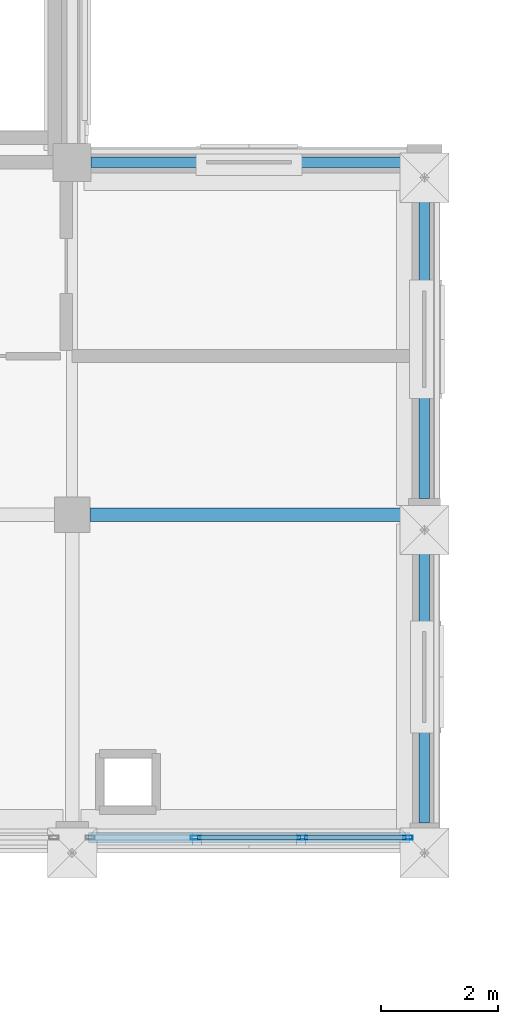
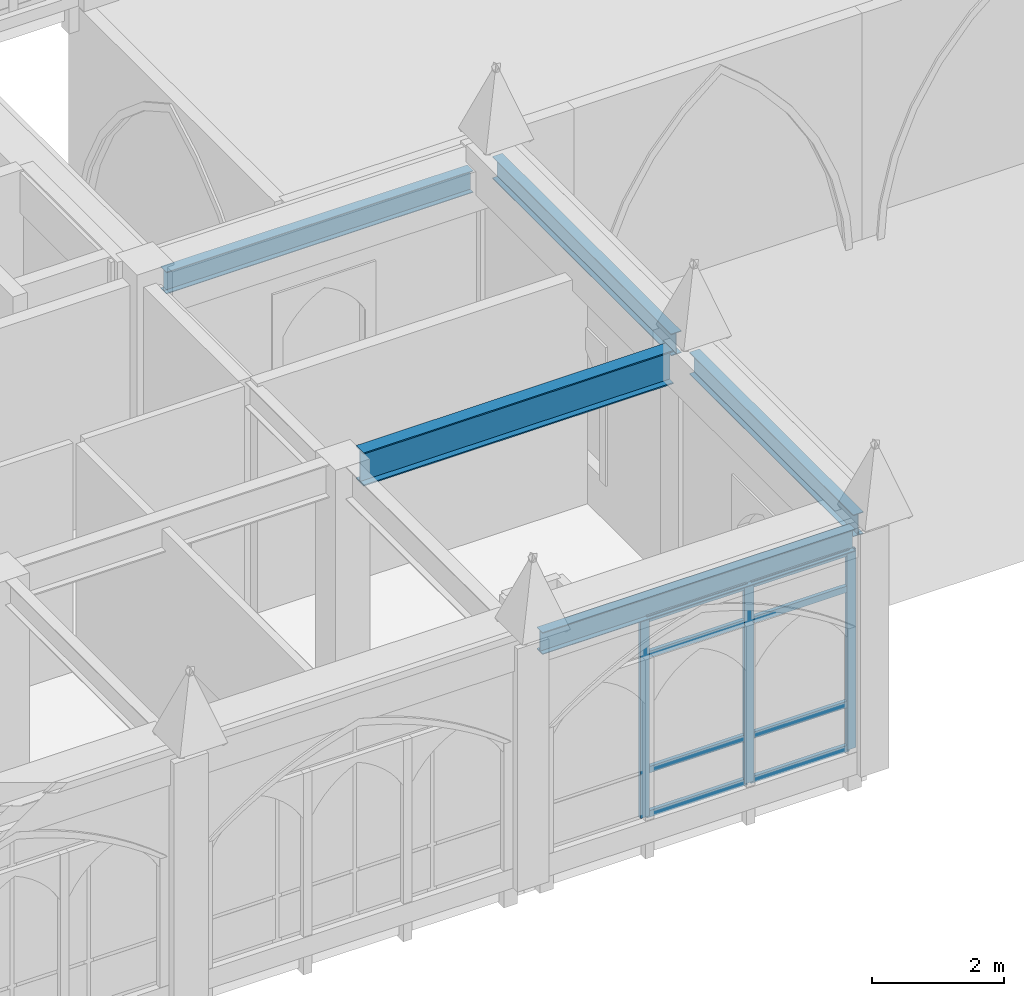
# One storey, part 70 of 143: 11 members, 5 beams, 1 element without a shape of its own.
"""IFC4 building model written with IfcOpenShell, lengths in metres."""

from ifc_helpers import new_model, si_unit, direction, frame, origin, origin_2d, place, context, subcontext, project, spatial, hollow_rectangle, i_section, extrude, material, layer, layer_set, material_profile, profile_set, type_object, element, aggregate, save


model = new_model("IFC4")

# Units and contexts
model_context = context("Model", 3, precision=1e-05, world=origin(), true_north=direction((0.0, 1.0)))
body_context = subcontext(model_context, "Body", "Model", "MODEL_VIEW")
ifc_project = project(units=[si_unit("LENGTHUNIT", "METRE"), si_unit("AREAUNIT", "SQUARE_METRE"), si_unit("VOLUMEUNIT", "CUBIC_METRE"), si_unit("PLANEANGLEUNIT", "RADIAN"), si_unit("MASSUNIT", "GRAM", prefix="KILO")], contexts=[model_context])

# Site, building, storey
site_placement = place(None, origin())
site = spatial("IfcSite", under=ifc_project, at=site_placement, CompositionType="ELEMENT")
building_placement = place(site_placement, origin())
building = spatial("IfcBuilding", under=site, at=building_placement, Name="Cumevento Cable Car Station", CompositionType="ELEMENT")
storey_placement = place(building_placement, frame((0.0, 0.0, 9.0)))
storey = spatial("IfcBuildingStorey", under=building, at=storey_placement, Name="L03", CompositionType="ELEMENT", Elevation=9.0)

# Curtain wall, members
ifc_material_1 = material(Name="Anodised Bronze Aluminium AW-6063-T6", Category="aluminium")
ifc_layer = layer(ifc_material_1, 0.238037109375)
ifc_layer_set = layer_set([ifc_layer], Name="Anodised Bronze Aluminium AW-6063-T6")
curtain_wall_type = type_object("IfcCurtainWallType", Name="Lancet Curtain Wall CW-14 1570", PredefinedType="NOTDEFINED", material=ifc_layer_set)
curtain_wall_placement = place(storey_placement, origin())
curtain_wall = element("IfcCurtainWall", 1, at=curtain_wall_placement, inside=storey, type_object=curtain_wall_type, Name="Lancet Curtain Wall CW-14 L03 #125", PredefinedType="NOTDEFINED")
ifc_material_2 = material(Name="Anodised Bronze Aluminium AW-6063-T6", Category="aluminium")
ifc_material_profile_1 = material_profile(ifc_material_2, hollow_rectangle(XDim=0.06494140625, YDim=0.159912109375, WallThickness=0.00390625, at=origin_2d()), Name="ALUM65x160x4")
ifc_profile_set_1 = profile_set([ifc_material_profile_1], Name="Anodised Bronze Aluminium AW-6063-T6")
member_type_1 = type_object("IfcMemberType", Name="Curtain Mullion CWM-01 ALUM65x160x4", PredefinedType="MULLION", material=ifc_profile_set_1)
member_1_placement = place(storey_placement, frame((135.717529296875, 9.5, 0.409912109375), z_axis=(0.0, 0.0, 1.0), x_axis=(0.0, -1.0, 0.0)))
member_1 = element("IfcMember", 2, at=member_1_placement, type_object=member_type_1, Name="CW-14 mullion 1", PredefinedType="MULLION", context=body_context, shape_type="SweptSolid", body=[
    extrude(hollow_rectangle(XDim=0.06494140625, YDim=0.159912109375, WallThickness=0.00390625, at=origin_2d()), origin(), (0.0, 0.0, 1.0), 3.68310546875),
])
member_2_placement = place(storey_placement, frame((133.925048828125, 9.5, 0.409912109375), z_axis=(0.0, 0.0, 1.0), x_axis=(0.0, -1.0, 0.0)))
member_2 = element("IfcMember", 3, at=member_2_placement, type_object=member_type_1, Name="CW-14 mullion 2", PredefinedType="MULLION", context=body_context, shape_type="SweptSolid", body=[
    extrude(hollow_rectangle(XDim=0.06494140625, YDim=0.159912109375, WallThickness=0.00390625, at=origin_2d()), origin(), (0.0, 0.0, 1.0), 3.68310546875),
])
member_3_placement = place(storey_placement, frame((132.10009765625, 9.5, 0.409912109375), z_axis=(0.0, 0.0, 1.0), x_axis=(0.0, -1.0, 0.0)))
member_3 = element("IfcMember", 4, at=member_3_placement, type_object=member_type_1, Name="CW-14 mullion 3", PredefinedType="MULLION", context=body_context, shape_type="SweptSolid", body=[
    extrude(hollow_rectangle(XDim=0.06494140625, YDim=0.159912109375, WallThickness=0.00390625, at=origin_2d()), origin(), (0.0, 0.0, 1.0), 3.68310546875),
])
ifc_material_3 = material(Name="Anodised Bronze Aluminium AW-6063-T6", Category="aluminium")
ifc_material_profile_2 = material_profile(ifc_material_3, hollow_rectangle(XDim=0.06494140625, YDim=0.1201171875, WallThickness=0.00390625, at=origin_2d()), Name="ALUT65x120x4")
ifc_profile_set_2 = profile_set([ifc_material_profile_2], Name="Anodised Bronze Aluminium AW-6063-T6")
member_type_2 = type_object("IfcMemberType", Name="Curtain Transom CWT-01 ALUT65x120x4", PredefinedType="USERDEFINED", material=ifc_profile_set_2)
member_4_placement = place(storey_placement, frame((135.68505859375, 9.5, 0.4423828125), z_axis=(-1.0, 0.0, 0.0), x_axis=(0.0, -1.0, 0.0)))
member_4 = element("IfcMember", 5, at=member_4_placement, type_object=member_type_2, Name="CW-14 transom 1.1", ObjectType="TRANSOM", PredefinedType="USERDEFINED", context=body_context, shape_type="SweptSolid", body=[
    extrude(hollow_rectangle(XDim=0.06494140625, YDim=0.1201171875, WallThickness=0.00390625, at=origin_2d()), origin(), (0.0, 0.0, 1.0), 1.7275390625),
])
member_5_placement = place(storey_placement, frame((135.68505859375, 9.5, 1.260009765625), z_axis=(-1.0, 0.0, 0.0), x_axis=(0.0, -1.0, 0.0)))
member_5 = element("IfcMember", 6, at=member_5_placement, type_object=member_type_2, Name="CW-14 transom 1.2", ObjectType="TRANSOM", PredefinedType="USERDEFINED", context=body_context, shape_type="SweptSolid", body=[
    extrude(hollow_rectangle(XDim=0.06494140625, YDim=0.1201171875, WallThickness=0.00390625, at=origin_2d()), origin(), (0.0, 0.0, 1.0), 1.7275390625),
])
member_6_placement = place(storey_placement, frame((135.68505859375, 9.5, 3.39306640625), z_axis=(-1.0, 0.0, 0.0), x_axis=(0.0, -1.0, 0.0)))
member_6 = element("IfcMember", 7, at=member_6_placement, type_object=member_type_2, Name="CW-14 transom 1.3", ObjectType="TRANSOM", PredefinedType="USERDEFINED", context=body_context, shape_type="SweptSolid", body=[
    extrude(hollow_rectangle(XDim=0.06494140625, YDim=0.1201171875, WallThickness=0.00390625, at=origin_2d()), origin(), (0.0, 0.0, 1.0), 1.7275390625),
])
member_7_placement = place(storey_placement, frame((135.68505859375, 9.5, 4.060546875), z_axis=(-1.0, 0.0, 0.0), x_axis=(0.0, -1.0, 0.0)))
member_7 = element("IfcMember", 8, at=member_7_placement, type_object=member_type_2, Name="CW-14 transom 1.4", ObjectType="TRANSOM", PredefinedType="USERDEFINED", context=body_context, shape_type="SweptSolid", body=[
    extrude(hollow_rectangle(XDim=0.06494140625, YDim=0.1201171875, WallThickness=0.00390625, at=origin_2d()), origin(), (0.0, 0.0, 1.0), 1.7275390625),
])
member_8_placement = place(storey_placement, frame((133.892578125, 9.5, 0.4423828125), z_axis=(-1.0, 0.0, 0.0), x_axis=(0.0, -1.0, 0.0)))
member_8 = element("IfcMember", 9, at=member_8_placement, type_object=member_type_2, Name="CW-14 transom 2.1", ObjectType="TRANSOM", PredefinedType="USERDEFINED", context=body_context, shape_type="SweptSolid", body=[
    extrude(hollow_rectangle(XDim=0.06494140625, YDim=0.1201171875, WallThickness=0.00390625, at=origin_2d()), origin(), (0.0, 0.0, 1.0), 1.760009765625),
])
member_9_placement = place(storey_placement, frame((133.892578125, 9.5, 1.260009765625), z_axis=(-1.0, 0.0, 0.0), x_axis=(0.0, -1.0, 0.0)))
member_9 = element("IfcMember", 10, at=member_9_placement, type_object=member_type_2, Name="CW-14 transom 2.2", ObjectType="TRANSOM", PredefinedType="USERDEFINED", context=body_context, shape_type="SweptSolid", body=[
    extrude(hollow_rectangle(XDim=0.06494140625, YDim=0.1201171875, WallThickness=0.00390625, at=origin_2d()), origin(), (0.0, 0.0, 1.0), 1.760009765625),
])
member_10_placement = place(storey_placement, frame((133.892578125, 9.5, 3.39306640625), z_axis=(-1.0, 0.0, 0.0), x_axis=(0.0, -1.0, 0.0)))
member_10 = element("IfcMember", 11, at=member_10_placement, type_object=member_type_2, Name="CW-14 transom 2.3", ObjectType="TRANSOM", PredefinedType="USERDEFINED", context=body_context, shape_type="SweptSolid", body=[
    extrude(hollow_rectangle(XDim=0.06494140625, YDim=0.1201171875, WallThickness=0.00390625, at=origin_2d()), origin(), (0.0, 0.0, 1.0), 1.760009765625),
])
member_11_placement = place(storey_placement, frame((133.892578125, 9.5, 4.060546875), z_axis=(-1.0, 0.0, 0.0), x_axis=(0.0, -1.0, 0.0)))
member_11 = element("IfcMember", 12, at=member_11_placement, type_object=member_type_2, Name="CW-14 transom 2.4", ObjectType="TRANSOM", PredefinedType="USERDEFINED", context=body_context, shape_type="SweptSolid", body=[
    extrude(hollow_rectangle(XDim=0.06494140625, YDim=0.1201171875, WallThickness=0.00390625, at=origin_2d()), origin(), (0.0, 0.0, 1.0), 1.760009765625),
])
aggregate(curtain_wall, [member_1, member_2, member_3, member_4, member_5, member_6, member_7, member_8, member_9, member_10, member_11])

# Beams
ifc_material_4 = material(Name="Steel ASTM A572 Grade 50", Category="steel")
ifc_material_profile_3 = material_profile(ifc_material_4, i_section(OverallWidth=0.22998046875, OverallDepth=0.616943359375, WebThickness=0.01318359375, FlangeThickness=0.022216796875, at=origin_2d()), Name="W610x140.0")
ifc_profile_set_3 = profile_set([ifc_material_profile_3], Name="Steel ASTM A572 Grade 50")
beam_type_1 = type_object("IfcBeamType", Name="Structural Beam BM-01 W610x140.0", PredefinedType="BEAM", material=ifc_profile_set_3)
beam_1_placement = place(storey_placement, frame((130.300048828125, 15.0, 4.19140625), z_axis=(1.0, 0.0, 0.0), x_axis=(0.0, 1.0, 0.0)))
element("IfcBeam", 13, at=beam_1_placement, inside=storey, type_object=beam_type_1, Name="Beam BM-01 L03 #1127", PredefinedType="BEAM", context=body_context, shape_type="SweptSolid", body=[
    extrude(i_section(OverallWidth=0.22998046875, OverallDepth=0.616943359375, WebThickness=0.01318359375, FlangeThickness=0.022216796875, at=origin_2d()), origin(), (0.0, 0.0, 1.0), 5.425048828125),
])
ifc_material_5 = material(Name="Steel ASTM A572 Grade 50", Category="steel")
ifc_material_profile_4 = material_profile(ifc_material_5, i_section(OverallWidth=0.177978515625, OverallDepth=0.406982421875, WebThickness=0.0078125, FlangeThickness=0.0126953125, at=origin_2d()), Name="W410x60.0")
ifc_profile_set_4 = profile_set([ifc_material_profile_4], Name="Steel ASTM A572 Grade 50")
beam_type_2 = type_object("IfcBeamType", Name="Structural Spandrel SP-01 W410x60.0", PredefinedType="SPANDREL", material=ifc_profile_set_4)
beam_2_placement = place(storey_placement, frame((130.27490234375, 9.5, 4.29638671875), z_axis=(1.0, 0.0, 0.0), x_axis=(0.0, 1.0, 0.0)))
element("IfcBeam", 14, at=beam_2_placement, inside=storey, type_object=beam_type_2, Name="Beam SP-01 L03 #1124", PredefinedType="SPANDREL", context=body_context, shape_type="SweptSolid", body=[
    extrude(i_section(OverallWidth=0.177978515625, OverallDepth=0.406982421875, WebThickness=0.0078125, FlangeThickness=0.0126953125, at=origin_2d()), origin(), (0.0, 0.0, 1.0), 5.47509765625),
])
beam_3_placement = place(storey_placement, frame((130.324951171875, 21.0, 3.9814453125), z_axis=(1.0, 0.0, 0.0), x_axis=(0.0, 1.0, 0.0)))
element("IfcBeam", 15, at=beam_3_placement, inside=storey, type_object=beam_type_2, Name="Beam SP-01 L03 #1130", PredefinedType="SPANDREL", context=body_context, shape_type="SweptSolid", body=[
    extrude(i_section(OverallWidth=0.177978515625, OverallDepth=0.406982421875, WebThickness=0.0078125, FlangeThickness=0.0126953125, at=origin_2d()), origin(), (0.0, 0.0, 1.0), 5.375),
])
beam_4_placement = place(storey_placement, frame((136.0, 9.75, 4.29638671875), z_axis=(0.0, 1.0, 0.0), x_axis=(-1.0, 0.0, 0.0)))
element("IfcBeam", 16, at=beam_4_placement, inside=storey, type_object=beam_type_2, Name="Beam SP-01 L03 #1137", PredefinedType="SPANDREL", context=body_context, shape_type="SweptSolid", body=[
    extrude(i_section(OverallWidth=0.177978515625, OverallDepth=0.406982421875, WebThickness=0.0078125, FlangeThickness=0.0126953125, at=origin_2d()), origin(), (0.0, 0.0, 1.0), 4.97509765625),
])
beam_5_placement = place(storey_placement, frame((136.0, 15.27490234375, 4.29638671875), z_axis=(0.0, 1.0, 0.0), x_axis=(-1.0, 0.0, 0.0)))
element("IfcBeam", 17, at=beam_5_placement, inside=storey, type_object=beam_type_2, Name="Beam SP-01 L03 #1138", PredefinedType="SPANDREL", context=body_context, shape_type="SweptSolid", body=[
    extrude(i_section(OverallWidth=0.177978515625, OverallDepth=0.406982421875, WebThickness=0.0078125, FlangeThickness=0.0126953125, at=origin_2d()), origin(), (0.0, 0.0, 1.0), 5.425048828125),
])

save(model, "model.ifc")
